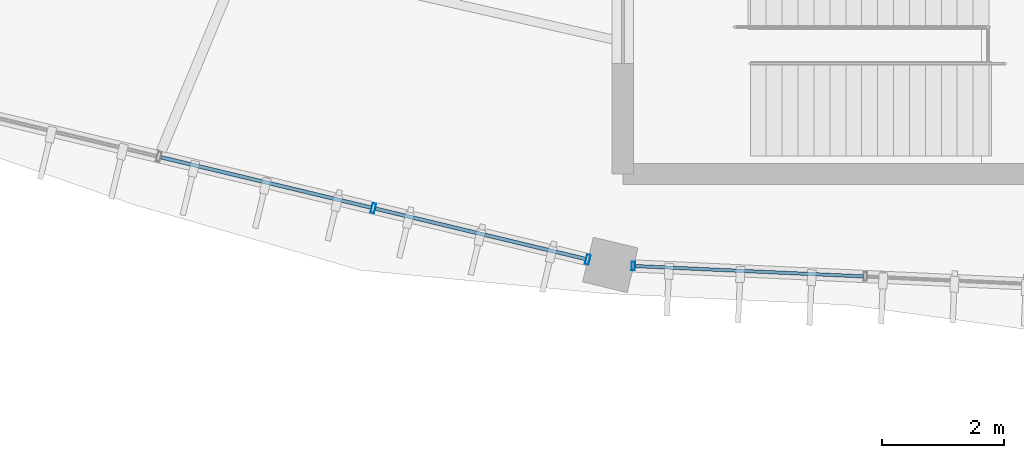
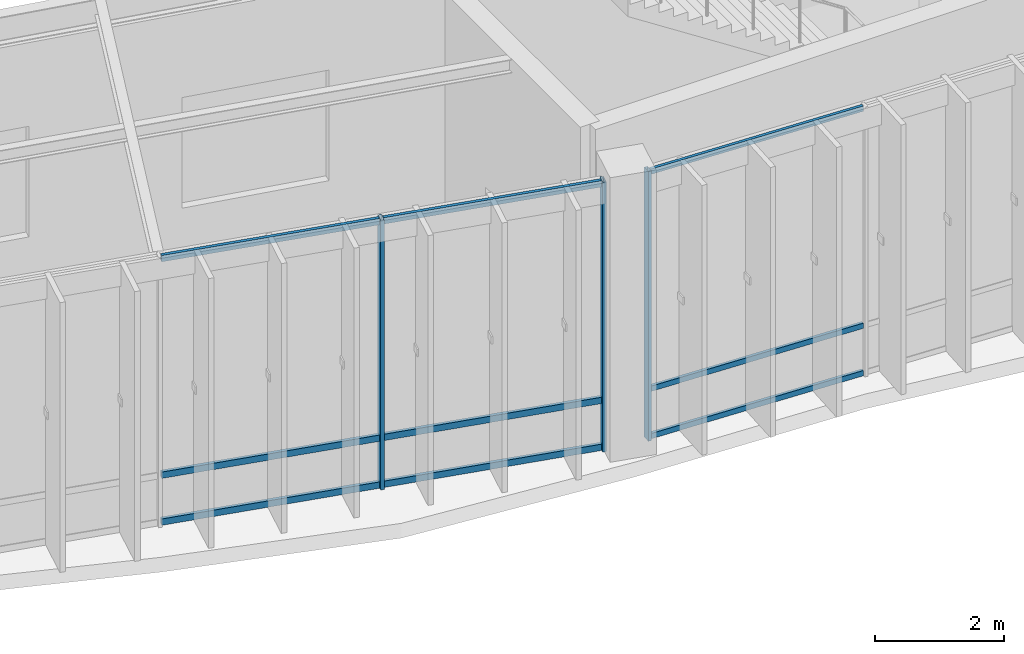
# One storey, part 31 of 157: 12 members, 2 elements without a shape of their own.
"""IFC4 building model written with IfcOpenShell, lengths in metres."""

from ifc_helpers import new_model, si_unit, direction, frame, origin, origin_2d, place, context, subcontext, project, spatial, hollow_rectangle, extrude, material, material_profile, profile_set, type_object, element, aggregate, save


model = new_model("IFC4")

# Units and contexts
model_context = context("Model", 3, precision=1e-05, world=origin(), true_north=direction((0.0, 1.0)))
body_context = subcontext(model_context, "Body", "Model", "MODEL_VIEW")
ifc_project = project(units=[si_unit("LENGTHUNIT", "METRE"), si_unit("AREAUNIT", "SQUARE_METRE"), si_unit("VOLUMEUNIT", "CUBIC_METRE"), si_unit("PLANEANGLEUNIT", "RADIAN"), si_unit("MASSUNIT", "GRAM", prefix="KILO"), si_unit("THERMODYNAMICTEMPERATUREUNIT", "KELVIN"), si_unit("POWERUNIT", "WATT")], contexts=[model_context])

# Site, building, storey
site_placement = place(None, origin())
site = spatial("IfcSite", under=ifc_project, at=site_placement, CompositionType="ELEMENT")
building_placement = place(site_placement, origin())
building = spatial("IfcBuilding", under=site, at=building_placement, Name="Darbajah Civic Hall", CompositionType="ELEMENT")
storey_placement = place(building_placement, origin())
storey = spatial("IfcBuildingStorey", under=building, at=storey_placement, Name="L00", CompositionType="ELEMENT", Elevation=0.0)

# Curtain wall, member
ifc_material_1 = material(Name="Anodised Bronze Aluminium and Low-E Glazing", Category="aluminium")
curtain_wall_type_1 = type_object("IfcCurtainWallType", Name="Unitised Curtain Wall CW-14 15200x5100", PredefinedType="USERDEFINED", material=ifc_material_1)
curtain_wall_1_placement = place(storey_placement, origin())
curtain_wall_1 = element("IfcCurtainWall", 1, at=curtain_wall_1_placement, inside=storey, type_object=curtain_wall_type_1, Name="L00 unitised curtain wall CW-V1O-L00-14", ObjectType="UNITISED CURTAIN WALL", PredefinedType="USERDEFINED")
ifc_material_2 = material(Name="Anodised Bronze Aluminium", Category="aluminium")
ifc_material_profile_1 = material_profile(ifc_material_2, hollow_rectangle(XDim=0.054931640625, YDim=0.139892578125, WallThickness=0.003173828125, at=origin_2d()), Name="ALU MULLION 55x140")
ifc_profile_set_1 = profile_set([ifc_material_profile_1], Name="Anodised Bronze Aluminium")
member_type_1 = type_object("IfcMemberType", Name="ALU MULLION 55x140", PredefinedType="MULLION", material=ifc_profile_set_1)
member_1_placement = place(storey_placement, frame((77.57080078125, 61.097900390625, 0.0), z_axis=(0.0, 0.0, 1.0), x_axis=(0.998962637241, -0.045537340693, 0.0)))
member_1 = element("IfcMember", 2, at=member_1_placement, type_object=member_type_1, Name="CW-V1O-L00-14 mullion 1", PredefinedType="MULLION", context=body_context, shape_type="SweptSolid", body=[
    extrude(hollow_rectangle(XDim=0.054931640625, YDim=0.139892578125, WallThickness=0.003173828125, at=origin_2d()), origin(), (0.0, 0.0, 1.0), 5.1201171875),
])

# Curtain wall, members
curtain_wall_type_2 = type_object("IfcCurtainWallType", Name="Unitised Curtain Wall CW-13 14400x5100", PredefinedType="USERDEFINED", material=ifc_material_1)
curtain_wall_2_placement = place(storey_placement, origin())
curtain_wall_2 = element("IfcCurtainWall", 3, at=curtain_wall_2_placement, inside=storey, type_object=curtain_wall_type_2, Name="L00 unitised curtain wall CW-V1O-L00-13", ObjectType="UNITISED CURTAIN WALL", PredefinedType="USERDEFINED")
ifc_material_profile_2 = material_profile(ifc_material_2, hollow_rectangle(XDim=0.06005859375, YDim=0.159912109375, WallThickness=0.00341796875, at=origin_2d()), Name="ALU MULLION 60x160")
ifc_profile_set_2 = profile_set([ifc_material_profile_2], Name="Anodised Bronze Aluminium")
member_type_2 = type_object("IfcMemberType", Name="ALU MULLION 60x160", PredefinedType="MULLION", material=ifc_profile_set_2)
member_2_placement = place(storey_placement, frame((73.32568359375, 62.0419921875, 0.0), z_axis=(0.0, 0.0, 1.0), x_axis=(0.972492018808, -0.232936200179, 0.0)))
member_2 = element("IfcMember", 4, at=member_2_placement, type_object=member_type_2, Name="CW-V1O-L00-13 mullion 4", PredefinedType="MULLION", context=body_context, shape_type="SweptSolid", body=[
    extrude(hollow_rectangle(XDim=0.06005859375, YDim=0.159912109375, WallThickness=0.00341796875, at=origin_2d()), origin(), (0.0, 0.0, 1.0), 5.1201171875),
])
member_3_placement = place(storey_placement, frame((76.82763671875, 61.202880859375, 0.0), z_axis=(0.0, 0.0, 1.0), x_axis=(0.972492018808, -0.232936200179, 0.0)))
member_3 = element("IfcMember", 5, at=member_3_placement, type_object=member_type_2, Name="CW-V1O-L00-13 mullion 5", PredefinedType="MULLION", context=body_context, shape_type="SweptSolid", body=[
    extrude(hollow_rectangle(XDim=0.06005859375, YDim=0.159912109375, WallThickness=0.00341796875, at=origin_2d()), origin(), (0.0, 0.0, 1.0), 5.1201171875),
])

# Member
ifc_material_profile_3 = material_profile(ifc_material_2, hollow_rectangle(XDim=0.054931640625, YDim=0.10009765625, WallThickness=0.0029296875, at=origin_2d()), Name="ALU TRANSOM 55x100")
ifc_profile_set_3 = profile_set([ifc_material_profile_3], Name="Anodised Bronze Aluminium")
member_type_3 = type_object("IfcMemberType", Name="ALU TRANSOM 55x100", PredefinedType="USERDEFINED", material=ifc_profile_set_3)
member_4_placement = place(storey_placement, frame((77.603515625, 61.096435546875, 0.050048828125), z_axis=(0.998966242998, -0.045458171441, 0.0), x_axis=(0.045458171441, 0.998966242998, 0.0)))
member_4 = element("IfcMember", 6, at=member_4_placement, type_object=member_type_3, Name="CW-V1O-L00-14 transom 1.1", ObjectType="TRANSOM", PredefinedType="USERDEFINED", context=body_context, shape_type="SweptSolid", body=[
    extrude(hollow_rectangle(XDim=0.054931640625, YDim=0.10009765625, WallThickness=0.0029296875, at=origin_2d()), origin(), (0.0, 0.0, 1.0), 3.727294921875),
])

member_5_placement = place(storey_placement, frame((77.603515625, 61.096435546875, 0.949951171875), z_axis=(0.998966242998, -0.045458171441, 0.0), x_axis=(0.045458171441, 0.998966242998, 0.0)))
member_5 = element("IfcMember", 7, at=member_5_placement, type_object=member_type_3, Name="CW-V1O-L00-14 transom 1.2", ObjectType="TRANSOM", PredefinedType="USERDEFINED", context=body_context, shape_type="SweptSolid", body=[
    extrude(hollow_rectangle(XDim=0.054931640625, YDim=0.10009765625, WallThickness=0.0029296875, at=origin_2d()), origin(), (0.0, 0.0, 1.0), 3.727294921875),
])

member_6_placement = place(storey_placement, frame((77.603515625, 61.096435546875, 5.070068359375), z_axis=(0.998966242998, -0.045458171441, 0.0), x_axis=(0.045458171441, 0.998966242998, 0.0)))
member_6 = element("IfcMember", 8, at=member_6_placement, type_object=member_type_3, Name="CW-V1O-L00-14 transom 1.3", ObjectType="TRANSOM", PredefinedType="USERDEFINED", context=body_context, shape_type="SweptSolid", body=[
    extrude(hollow_rectangle(XDim=0.054931640625, YDim=0.10009765625, WallThickness=0.0029296875, at=origin_2d()), origin(), (0.0, 0.0, 1.0), 3.727294921875),
])

aggregate(curtain_wall_1, [member_1, member_4, member_5, member_6])

ifc_material_profile_4 = material_profile(ifc_material_2, hollow_rectangle(XDim=0.06005859375, YDim=0.1201171875, WallThickness=0.003173828125, at=origin_2d()), Name="ALU TRANSOM 60x120")
ifc_profile_set_4 = profile_set([ifc_material_profile_4], Name="Anodised Bronze Aluminium")
member_type_4 = type_object("IfcMemberType", Name="ALU TRANSOM 60x120", PredefinedType="USERDEFINED", material=ifc_profile_set_4)
member_7_placement = place(storey_placement, frame((69.857421875, 62.872802734375, 0.06005859375), z_axis=(0.97249451467, -0.232925779889, 0.0), x_axis=(0.232925779889, 0.97249451467, 0.0)))
member_7 = element("IfcMember", 9, at=member_7_placement, type_object=member_type_4, Name="CW-V1O-L00-13 transom 3.1", ObjectType="TRANSOM", PredefinedType="USERDEFINED", context=body_context, shape_type="SweptSolid", body=[
    extrude(hollow_rectangle(XDim=0.06005859375, YDim=0.1201171875, WallThickness=0.003173828125, at=origin_2d()), origin(), (0.0, 0.0, 1.0), 3.53125),
])

member_8_placement = place(storey_placement, frame((69.857421875, 62.872802734375, 0.949951171875), z_axis=(0.97249451467, -0.232925779889, 0.0), x_axis=(0.232925779889, 0.97249451467, 0.0)))
member_8 = element("IfcMember", 10, at=member_8_placement, type_object=member_type_4, Name="CW-V1O-L00-13 transom 3.2", ObjectType="TRANSOM", PredefinedType="USERDEFINED", context=body_context, shape_type="SweptSolid", body=[
    extrude(hollow_rectangle(XDim=0.06005859375, YDim=0.1201171875, WallThickness=0.003173828125, at=origin_2d()), origin(), (0.0, 0.0, 1.0), 3.53125),
])

member_9_placement = place(storey_placement, frame((69.857421875, 62.872802734375, 5.06005859375), z_axis=(0.97249451467, -0.232925779889, 0.0), x_axis=(0.232925779889, 0.97249451467, 0.0)))
member_9 = element("IfcMember", 11, at=member_9_placement, type_object=member_type_4, Name="CW-V1O-L00-13 transom 3.3", ObjectType="TRANSOM", PredefinedType="USERDEFINED", context=body_context, shape_type="SweptSolid", body=[
    extrude(hollow_rectangle(XDim=0.06005859375, YDim=0.1201171875, WallThickness=0.003173828125, at=origin_2d()), origin(), (0.0, 0.0, 1.0), 3.53125),
])

member_10_placement = place(storey_placement, frame((73.359619140625, 62.03369140625, 0.06005859375), z_axis=(0.97249451467, -0.232925779889, 0.0), x_axis=(0.232925779889, 0.97249451467, 0.0)))
member_10 = element("IfcMember", 12, at=member_10_placement, type_object=member_type_4, Name="CW-V1O-L00-13 transom 4.1", ObjectType="TRANSOM", PredefinedType="USERDEFINED", context=body_context, shape_type="SweptSolid", body=[
    extrude(hollow_rectangle(XDim=0.06005859375, YDim=0.1201171875, WallThickness=0.003173828125, at=origin_2d()), origin(), (0.0, 0.0, 1.0), 3.53125),
])

member_11_placement = place(storey_placement, frame((73.359619140625, 62.03369140625, 0.949951171875), z_axis=(0.97249451467, -0.232925779889, 0.0), x_axis=(0.232925779889, 0.97249451467, 0.0)))
member_11 = element("IfcMember", 13, at=member_11_placement, type_object=member_type_4, Name="CW-V1O-L00-13 transom 4.2", ObjectType="TRANSOM", PredefinedType="USERDEFINED", context=body_context, shape_type="SweptSolid", body=[
    extrude(hollow_rectangle(XDim=0.06005859375, YDim=0.1201171875, WallThickness=0.003173828125, at=origin_2d()), origin(), (0.0, 0.0, 1.0), 3.53125),
])

member_12_placement = place(storey_placement, frame((73.359619140625, 62.03369140625, 5.06005859375), z_axis=(0.97249451467, -0.232925779889, 0.0), x_axis=(0.232925779889, 0.97249451467, 0.0)))
member_12 = element("IfcMember", 14, at=member_12_placement, type_object=member_type_4, Name="CW-V1O-L00-13 transom 4.3", ObjectType="TRANSOM", PredefinedType="USERDEFINED", context=body_context, shape_type="SweptSolid", body=[
    extrude(hollow_rectangle(XDim=0.06005859375, YDim=0.1201171875, WallThickness=0.003173828125, at=origin_2d()), origin(), (0.0, 0.0, 1.0), 3.53125),
])

aggregate(curtain_wall_2, [member_2, member_3, member_7, member_8, member_9, member_10, member_11, member_12])

save(model, "model.ifc")
